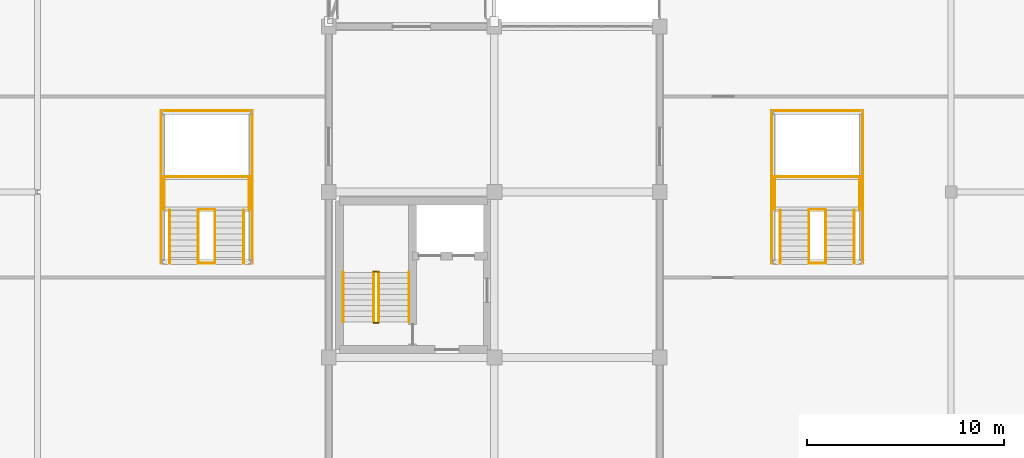
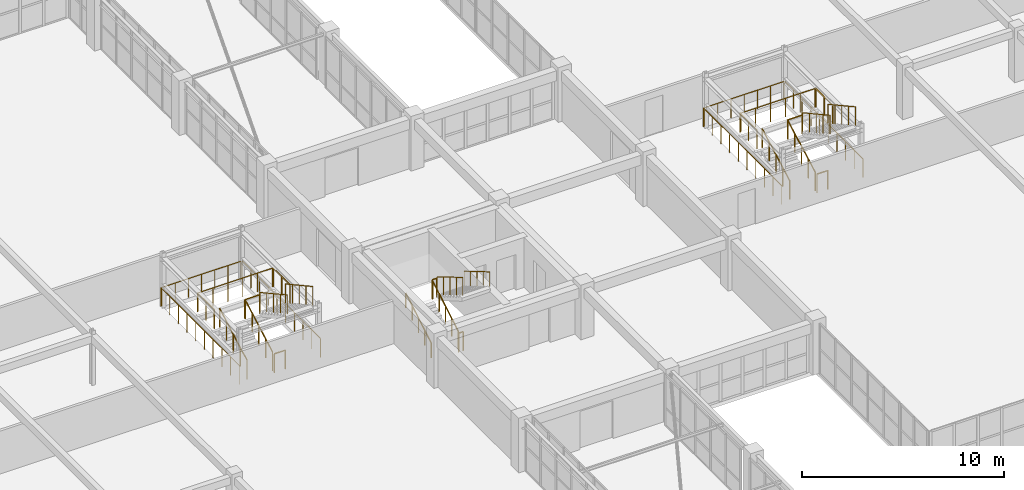
# One storey, part 194 of 200: 30 railings.
"""IFC4 building model written with IfcOpenShell, lengths in metres."""

from ifc_helpers import new_model, si_unit, direction, frame, origin, origin_2d, place, context, subcontext, project, spatial, circle, extrude, material, type_object, element, save


model = new_model("IFC4")

# Units and contexts
model_context = context("Model", 3, precision=1e-05, world=origin(), true_north=direction((0.0, 1.0)))
body_context = subcontext(model_context, "Body", "Model", "MODEL_VIEW")
ifc_project = project(units=[si_unit("LENGTHUNIT", "METRE"), si_unit("AREAUNIT", "SQUARE_METRE"), si_unit("VOLUMEUNIT", "CUBIC_METRE"), si_unit("PLANEANGLEUNIT", "RADIAN"), si_unit("MASSUNIT", "GRAM", prefix="KILO")], contexts=[model_context])

# Site, building, storey
site_placement = place(None, origin())
site = spatial("IfcSite", under=ifc_project, at=site_placement, CompositionType="ELEMENT")
building_placement = place(site_placement, origin())
building = spatial("IfcBuilding", under=site, at=building_placement, Name="Trelvath General Hospital", CompositionType="ELEMENT")
storey_placement = place(building_placement, frame((0.0, 0.0, 4.800048828125)))
storey = spatial("IfcBuildingStorey", under=building, at=storey_placement, Name="L01", CompositionType="ELEMENT", Elevation=4.800048828125)

# Railings
ifc_material_1 = material(Name="Architectural painted steel", Category="steel")
railing_type_1 = type_object("IfcRailingType", Name="Guardrail Terrace1150", PredefinedType="GUARDRAIL", material=ifc_material_1)
railing_1_placement = place(storey_placement, frame((77.8701171875, 52.159912109375, 0.0)))
element("IfcRailing", 1, at=railing_1_placement, inside=storey, type_object=railing_type_1, Name="Stair Well Edge Guard C6 L01 198", PredefinedType="GUARDRAIL", context=body_context, shape_type="SweptSolid", body=[
    extrude(circle(Radius=0.02392578125, at=origin_2d()), frame((0.0, 0.0, 1.1259765625), z_axis=(1.0, 0.0, 0.0), x_axis=(0.0, 1.0, 0.0)), (0.0, 0.0, 1.0), 0.259765625),
    extrude(circle(Radius=0.02099609375, at=origin_2d()), origin(), (0.0, 0.0, 1.0), 1.099853515625),
    extrude(circle(Radius=0.02099609375, at=origin_2d()), frame((0.259765625, 0.0, 0.0)), (0.0, 0.0, 1.0), 1.099853515625),
])
railing_2_placement = place(storey_placement, frame((78.1298828125, 54.719970703125, 1.81494140625)))
element("IfcRailing", 2, at=railing_2_placement, inside=storey, type_object=railing_type_1, Name="Stair Rail ST6 L01 F2 L 200", PredefinedType="GUARDRAIL", context=body_context, shape_type="SweptSolid", body=[
    extrude(circle(Radius=0.02392578125, at=origin_2d()), frame((0.0, 0.0, 1.076171875), z_axis=(0.0, -0.86152411907, 0.507716645641), x_axis=(1.0, 0.0, 0.0)), (0.0, 0.0, 1.0), 2.925048828125),
    extrude(circle(Radius=0.02099609375, at=origin_2d()), origin(), (0.0, 0.0, 1.0), 1.050048828125),
    extrude(circle(Radius=0.02099609375, at=origin_2d()), frame((0.0, -0.6298828125, 0.371337890625)), (0.0, 0.0, 1.0), 1.050048828125),
    extrude(circle(Radius=0.02099609375, at=origin_2d()), frame((0.0, -1.260009765625, 0.74267578125)), (0.0, 0.0, 1.0), 1.050048828125),
    extrude(circle(Radius=0.02099609375, at=origin_2d()), frame((0.0, -1.89013671875, 1.11376953125)), (0.0, 0.0, 1.0), 1.050048828125),
    extrude(circle(Radius=0.02099609375, at=origin_2d()), frame((0.0, -2.52001953125, 1.485107421875)), (0.0, 0.0, 1.0), 1.050048828125),
])
railing_3_placement = place(storey_placement, frame((77.8701171875, 52.199951171875, 0.1650390625)))
element("IfcRailing", 3, at=railing_3_placement, inside=storey, type_object=railing_type_1, Name="Stair Rail ST6 L01 F1 R 201", PredefinedType="GUARDRAIL", context=body_context, shape_type="SweptSolid", body=[
    extrude(circle(Radius=0.02392578125, at=origin_2d()), frame((0.0, 0.0, 1.076171875), z_axis=(0.0, 0.861560626758, 0.507654692109), x_axis=(-1.0, 0.0, 0.0)), (0.0, 0.0, 1.0), 2.925048828125),
    extrude(circle(Radius=0.02099609375, at=origin_2d()), origin(), (0.0, 0.0, 1.0), 1.050048828125),
    extrude(circle(Radius=0.02099609375, at=origin_2d()), frame((0.0, 0.6298828125, 0.37109375)), (0.0, 0.0, 1.0), 1.050048828125),
    extrude(circle(Radius=0.02099609375, at=origin_2d()), frame((0.0, 1.260009765625, 0.742431640625)), (0.0, 0.0, 1.0), 1.050048828125),
    extrude(circle(Radius=0.02099609375, at=origin_2d()), frame((0.0, 1.89013671875, 1.11376953125)), (0.0, 0.0, 1.0), 1.050048828125),
    extrude(circle(Radius=0.02099609375, at=origin_2d()), frame((0.0, 2.52001953125, 1.48486328125)), (0.0, 0.0, 1.0), 1.050048828125),
])
railing_4_placement = place(storey_placement, frame((77.8701171875, 54.760009765625, 1.64990234375)))
element("IfcRailing", 4, at=railing_4_placement, inside=storey, type_object=railing_type_1, Name="Half-Landing Well Guard ST6 L01 203", PredefinedType="GUARDRAIL", context=body_context, shape_type="SweptSolid", body=[
    extrude(circle(Radius=0.02392578125, at=origin_2d()), frame((0.0, 0.0, 1.1259765625), z_axis=(1.0, 0.0, 0.0), x_axis=(0.0, 1.0, 0.0)), (0.0, 0.0, 1.0), 0.259765625),
    extrude(circle(Radius=0.02099609375, at=origin_2d()), origin(), (0.0, 0.0, 1.0), 1.099853515625),
    extrude(circle(Radius=0.02099609375, at=origin_2d()), frame((0.259765625, 0.0, 0.0)), (0.0, 0.0, 1.0), 1.099853515625),
])
for number, where, name in (
    (5, (67.52001953125, 55.169921875, 0.1650390625), "Cube Stair Flight Guard ST9 L01 275"),
    (6, (68.97998046875, 55.169921875, 0.1650390625), "Cube Stair Flight Guard ST9 L01 276"),
):
    element("IfcRailing", number, at=place(storey_placement, frame(where)), inside=storey, type_object=railing_type_1, Name=name, PredefinedType="GUARDRAIL", context=body_context, shape_type="SweptSolid", body=[
        extrude(circle(Radius=0.02392578125, at=origin_2d()), frame((0.0, 0.0, 1.1259765625), z_axis=(0.0, 0.876249361297, 0.481857921827), x_axis=(-1.0, 0.0, 0.0)), (0.0, 0.0, 1.0), 3.08154296875),
        extrude(circle(Radius=0.02099609375, at=origin_2d()), origin(), (0.0, 0.0, 1.0), 1.099853515625),
        extrude(circle(Radius=0.02099609375, at=origin_2d()), frame((0.0, 0.675048828125, 0.37109375)), (0.0, 0.0, 1.0), 1.099853515625),
        extrude(circle(Radius=0.02099609375, at=origin_2d()), frame((0.0, 1.35009765625, 0.742431640625)), (0.0, 0.0, 1.0), 1.099853515625),
        extrude(circle(Radius=0.02099609375, at=origin_2d()), frame((0.0, 2.025146484375, 1.11376953125)), (0.0, 0.0, 1.0), 1.099853515625),
        extrude(circle(Radius=0.02099609375, at=origin_2d()), frame((0.0, 2.7001953125, 1.48486328125)), (0.0, 0.0, 1.0), 1.099853515625),
    ])
for number, where, name in (
    (7, (69.820068359375, 57.8701171875, 1.81494140625), "Cube Stair Flight Guard ST9 L01 277"),
    (8, (71.280029296875, 57.8701171875, 1.81494140625), "Cube Stair Flight Guard ST9 L01 278"),
):
    element("IfcRailing", number, at=place(storey_placement, frame(where)), inside=storey, type_object=railing_type_1, Name=name, PredefinedType="GUARDRAIL", context=body_context, shape_type="SweptSolid", body=[
        extrude(circle(Radius=0.02392578125, at=origin_2d()), frame((0.0, 0.0, 1.1259765625), z_axis=(0.0, -0.876215908677, 0.481918749772), x_axis=(1.0, 0.0, 0.0)), (0.0, 0.0, 1.0), 3.08154296875),
        extrude(circle(Radius=0.02099609375, at=origin_2d()), origin(), (0.0, 0.0, 1.0), 1.099853515625),
        extrude(circle(Radius=0.02099609375, at=origin_2d()), frame((0.0, -0.675048828125, 0.371337890625)), (0.0, 0.0, 1.0), 1.099853515625),
        extrude(circle(Radius=0.02099609375, at=origin_2d()), frame((0.0, -1.35009765625, 0.74267578125)), (0.0, 0.0, 1.0), 1.099853515625),
        extrude(circle(Radius=0.02099609375, at=origin_2d()), frame((0.0, -2.025146484375, 1.11376953125)), (0.0, 0.0, 1.0), 1.099853515625),
        extrude(circle(Radius=0.02099609375, at=origin_2d()), frame((0.0, -2.7001953125, 1.485107421875)), (0.0, 0.0, 1.0), 1.099853515625),
    ])
railing_5_placement = place(storey_placement, frame((67.239990234375, 57.909912109375, 1.64990234375)))
element("IfcRailing", 9, at=railing_5_placement, inside=storey, type_object=railing_type_1, Name="Cube Half-Landing Guard W ST9 L01 279", PredefinedType="GUARDRAIL", context=body_context, shape_type="SweptSolid", body=[
    extrude(circle(Radius=0.02392578125, at=origin_2d()), frame((0.0, 0.0, 1.1259765625), z_axis=(0.0, 1.0, 0.0), x_axis=(-1.0, 0.0, 0.0)), (0.0, 0.0, 1.0), 1.670166015625),
    extrude(circle(Radius=0.02099609375, at=origin_2d()), origin(), (0.0, 0.0, 1.0), 1.099853515625),
    extrude(circle(Radius=0.02099609375, at=origin_2d()), frame((0.0, 0.8349609375, 0.0)), (0.0, 0.0, 1.0), 1.099853515625),
    extrude(circle(Radius=0.02099609375, at=origin_2d()), frame((0.0, 1.670166015625, 0.0)), (0.0, 0.0, 1.0), 1.099853515625),
])
railing_6_placement = place(storey_placement, frame((67.280029296875, 59.580078125, 1.64990234375)))
element("IfcRailing", 10, at=railing_6_placement, inside=storey, type_object=railing_type_1, Name="Cube Half-Landing Guard N ST9 L01 280", PredefinedType="GUARDRAIL", context=body_context, shape_type="SweptSolid", body=[
    extrude(circle(Radius=0.02392578125, at=origin_2d()), frame((0.0, 0.0, 1.1259765625), z_axis=(1.0, 0.0, 0.0), x_axis=(0.0, 1.0, 0.0)), (0.0, 0.0, 1.0), 4.239990234375),
    extrude(circle(Radius=0.02099609375, at=origin_2d()), origin(), (0.0, 0.0, 1.0), 1.099853515625),
    extrude(circle(Radius=0.02099609375, at=origin_2d()), frame((0.847900390625, 0.0, 0.0)), (0.0, 0.0, 1.0), 1.099853515625),
    extrude(circle(Radius=0.02099609375, at=origin_2d()), frame((1.696044921875, 0.0, 0.0)), (0.0, 0.0, 1.0), 1.099853515625),
    extrude(circle(Radius=0.02099609375, at=origin_2d()), frame((2.5439453125, 0.0, 0.0)), (0.0, 0.0, 1.0), 1.099853515625),
    extrude(circle(Radius=0.02099609375, at=origin_2d()), frame((3.39208984375, 0.0, 0.0)), (0.0, 0.0, 1.0), 1.099853515625),
    extrude(circle(Radius=0.02099609375, at=origin_2d()), frame((4.239990234375, 0.0, 0.0)), (0.0, 0.0, 1.0), 1.099853515625),
])
railing_7_placement = place(storey_placement, frame((71.56005859375, 57.909912109375, 1.64990234375)))
element("IfcRailing", 11, at=railing_7_placement, inside=storey, type_object=railing_type_1, Name="Cube Half-Landing Guard E ST9 L01 281", PredefinedType="GUARDRAIL", context=body_context, shape_type="SweptSolid", body=[
    extrude(circle(Radius=0.02392578125, at=origin_2d()), frame((0.0, 0.0, 1.1259765625), z_axis=(0.0, 1.0, 0.0), x_axis=(-1.0, 0.0, 0.0)), (0.0, 0.0, 1.0), 1.670166015625),
    extrude(circle(Radius=0.02099609375, at=origin_2d()), origin(), (0.0, 0.0, 1.0), 1.099853515625),
    extrude(circle(Radius=0.02099609375, at=origin_2d()), frame((0.0, 0.8349609375, 0.0)), (0.0, 0.0, 1.0), 1.099853515625),
    extrude(circle(Radius=0.02099609375, at=origin_2d()), frame((0.0, 1.670166015625, 0.0)), (0.0, 0.0, 1.0), 1.099853515625),
])
railing_8_placement = place(storey_placement, frame((68.97998046875, 57.909912109375, 1.64990234375)))
element("IfcRailing", 12, at=railing_8_placement, inside=storey, type_object=railing_type_1, Name="Cube Half-Landing Slot Guard ST9 L01 282", PredefinedType="GUARDRAIL", context=body_context, shape_type="SweptSolid", body=[
    extrude(circle(Radius=0.02392578125, at=origin_2d()), frame((0.0, 0.0, 1.1259765625), z_axis=(1.0, 0.0, 0.0), x_axis=(0.0, 1.0, 0.0)), (0.0, 0.0, 1.0), 0.840087890625),
    extrude(circle(Radius=0.02099609375, at=origin_2d()), origin(), (0.0, 0.0, 1.0), 1.099853515625),
    extrude(circle(Radius=0.02099609375, at=origin_2d()), frame((0.840087890625, 0.0, 0.0)), (0.0, 0.0, 1.0), 1.099853515625),
])
for number, where, name in (
    (13, (98.52001953125, 55.169921875, 0.1650390625), "Cube Stair Flight Guard ST10 L01 283"),
    (14, (99.97998046875, 55.169921875, 0.1650390625), "Cube Stair Flight Guard ST10 L01 284"),
):
    element("IfcRailing", number, at=place(storey_placement, frame(where)), inside=storey, type_object=railing_type_1, Name=name, PredefinedType="GUARDRAIL", context=body_context, shape_type="SweptSolid", body=[
        extrude(circle(Radius=0.02392578125, at=origin_2d()), frame((0.0, 0.0, 1.1259765625), z_axis=(0.0, 0.876249361297, 0.481857921827), x_axis=(-1.0, 0.0, 0.0)), (0.0, 0.0, 1.0), 3.08154296875),
        extrude(circle(Radius=0.02099609375, at=origin_2d()), origin(), (0.0, 0.0, 1.0), 1.099853515625),
        extrude(circle(Radius=0.02099609375, at=origin_2d()), frame((0.0, 0.675048828125, 0.37109375)), (0.0, 0.0, 1.0), 1.099853515625),
        extrude(circle(Radius=0.02099609375, at=origin_2d()), frame((0.0, 1.35009765625, 0.742431640625)), (0.0, 0.0, 1.0), 1.099853515625),
        extrude(circle(Radius=0.02099609375, at=origin_2d()), frame((0.0, 2.025146484375, 1.11376953125)), (0.0, 0.0, 1.0), 1.099853515625),
        extrude(circle(Radius=0.02099609375, at=origin_2d()), frame((0.0, 2.7001953125, 1.48486328125)), (0.0, 0.0, 1.0), 1.099853515625),
    ])
for number, where, name in (
    (15, (100.820068359375, 57.8701171875, 1.81494140625), "Cube Stair Flight Guard ST10 L01 285"),
    (16, (102.280029296875, 57.8701171875, 1.81494140625), "Cube Stair Flight Guard ST10 L01 286"),
):
    element("IfcRailing", number, at=place(storey_placement, frame(where)), inside=storey, type_object=railing_type_1, Name=name, PredefinedType="GUARDRAIL", context=body_context, shape_type="SweptSolid", body=[
        extrude(circle(Radius=0.02392578125, at=origin_2d()), frame((0.0, 0.0, 1.1259765625), z_axis=(0.0, -0.876215908677, 0.481918749772), x_axis=(1.0, 0.0, 0.0)), (0.0, 0.0, 1.0), 3.08154296875),
        extrude(circle(Radius=0.02099609375, at=origin_2d()), origin(), (0.0, 0.0, 1.0), 1.099853515625),
        extrude(circle(Radius=0.02099609375, at=origin_2d()), frame((0.0, -0.675048828125, 0.371337890625)), (0.0, 0.0, 1.0), 1.099853515625),
        extrude(circle(Radius=0.02099609375, at=origin_2d()), frame((0.0, -1.35009765625, 0.74267578125)), (0.0, 0.0, 1.0), 1.099853515625),
        extrude(circle(Radius=0.02099609375, at=origin_2d()), frame((0.0, -2.025146484375, 1.11376953125)), (0.0, 0.0, 1.0), 1.099853515625),
        extrude(circle(Radius=0.02099609375, at=origin_2d()), frame((0.0, -2.7001953125, 1.485107421875)), (0.0, 0.0, 1.0), 1.099853515625),
    ])
railing_9_placement = place(storey_placement, frame((98.239990234375, 57.909912109375, 1.64990234375)))
element("IfcRailing", 17, at=railing_9_placement, inside=storey, type_object=railing_type_1, Name="Cube Half-Landing Guard W ST10 L01 287", PredefinedType="GUARDRAIL", context=body_context, shape_type="SweptSolid", body=[
    extrude(circle(Radius=0.02392578125, at=origin_2d()), frame((0.0, 0.0, 1.1259765625), z_axis=(0.0, 1.0, 0.0), x_axis=(-1.0, 0.0, 0.0)), (0.0, 0.0, 1.0), 1.670166015625),
    extrude(circle(Radius=0.02099609375, at=origin_2d()), origin(), (0.0, 0.0, 1.0), 1.099853515625),
    extrude(circle(Radius=0.02099609375, at=origin_2d()), frame((0.0, 0.8349609375, 0.0)), (0.0, 0.0, 1.0), 1.099853515625),
    extrude(circle(Radius=0.02099609375, at=origin_2d()), frame((0.0, 1.670166015625, 0.0)), (0.0, 0.0, 1.0), 1.099853515625),
])
railing_10_placement = place(storey_placement, frame((98.280029296875, 59.580078125, 1.64990234375)))
element("IfcRailing", 18, at=railing_10_placement, inside=storey, type_object=railing_type_1, Name="Cube Half-Landing Guard N ST10 L01 288", PredefinedType="GUARDRAIL", context=body_context, shape_type="SweptSolid", body=[
    extrude(circle(Radius=0.02392578125, at=origin_2d()), frame((0.0, 0.0, 1.1259765625), z_axis=(1.0, 0.0, 0.0), x_axis=(0.0, 1.0, 0.0)), (0.0, 0.0, 1.0), 4.239990234375),
    extrude(circle(Radius=0.02099609375, at=origin_2d()), origin(), (0.0, 0.0, 1.0), 1.099853515625),
    extrude(circle(Radius=0.02099609375, at=origin_2d()), frame((0.847900390625, 0.0, 0.0)), (0.0, 0.0, 1.0), 1.099853515625),
    extrude(circle(Radius=0.02099609375, at=origin_2d()), frame((1.696044921875, 0.0, 0.0)), (0.0, 0.0, 1.0), 1.099853515625),
    extrude(circle(Radius=0.02099609375, at=origin_2d()), frame((2.5439453125, 0.0, 0.0)), (0.0, 0.0, 1.0), 1.099853515625),
    extrude(circle(Radius=0.02099609375, at=origin_2d()), frame((3.39208984375, 0.0, 0.0)), (0.0, 0.0, 1.0), 1.099853515625),
    extrude(circle(Radius=0.02099609375, at=origin_2d()), frame((4.239990234375, 0.0, 0.0)), (0.0, 0.0, 1.0), 1.099853515625),
])
railing_11_placement = place(storey_placement, frame((102.56005859375, 57.909912109375, 1.64990234375)))
element("IfcRailing", 19, at=railing_11_placement, inside=storey, type_object=railing_type_1, Name="Cube Half-Landing Guard E ST10 L01 289", PredefinedType="GUARDRAIL", context=body_context, shape_type="SweptSolid", body=[
    extrude(circle(Radius=0.02392578125, at=origin_2d()), frame((0.0, 0.0, 1.1259765625), z_axis=(0.0, 1.0, 0.0), x_axis=(-1.0, 0.0, 0.0)), (0.0, 0.0, 1.0), 1.670166015625),
    extrude(circle(Radius=0.02099609375, at=origin_2d()), origin(), (0.0, 0.0, 1.0), 1.099853515625),
    extrude(circle(Radius=0.02099609375, at=origin_2d()), frame((0.0, 0.8349609375, 0.0)), (0.0, 0.0, 1.0), 1.099853515625),
    extrude(circle(Radius=0.02099609375, at=origin_2d()), frame((0.0, 1.670166015625, 0.0)), (0.0, 0.0, 1.0), 1.099853515625),
])
railing_12_placement = place(storey_placement, frame((99.97998046875, 57.909912109375, 1.64990234375)))
element("IfcRailing", 20, at=railing_12_placement, inside=storey, type_object=railing_type_1, Name="Cube Half-Landing Slot Guard ST10 L01 290", PredefinedType="GUARDRAIL", context=body_context, shape_type="SweptSolid", body=[
    extrude(circle(Radius=0.02392578125, at=origin_2d()), frame((0.0, 0.0, 1.1259765625), z_axis=(1.0, 0.0, 0.0), x_axis=(0.0, 1.0, 0.0)), (0.0, 0.0, 1.0), 0.840087890625),
    extrude(circle(Radius=0.02099609375, at=origin_2d()), origin(), (0.0, 0.0, 1.0), 1.099853515625),
    extrude(circle(Radius=0.02099609375, at=origin_2d()), frame((0.840087890625, 0.0, 0.0)), (0.0, 0.0, 1.0), 1.099853515625),
])
railing_13_placement = place(storey_placement, frame((67.080078125, 55.179931640625, 0.0)))
element("IfcRailing", 21, at=railing_13_placement, inside=storey, type_object=railing_type_1, Name="Atrium Guard W CUBE-W-T0 L01 355", PredefinedType="GUARDRAIL", context=body_context, shape_type="SweptSolid", body=[
    extrude(circle(Radius=0.02392578125, at=origin_2d()), frame((0.0, 0.0, 1.1259765625), z_axis=(0.0, 1.0, 0.0), x_axis=(-1.0, 0.0, 0.0)), (0.0, 0.0, 1.0), 7.739990234375),
    extrude(circle(Radius=0.02099609375, at=origin_2d()), origin(), (0.0, 0.0, 1.0), 1.099853515625),
    extrude(circle(Radius=0.02099609375, at=origin_2d()), frame((0.0, 0.860107421875, 0.0)), (0.0, 0.0, 1.0), 1.099853515625),
    extrude(circle(Radius=0.02099609375, at=origin_2d()), frame((0.0, 1.719970703125, 0.0)), (0.0, 0.0, 1.0), 1.099853515625),
    extrude(circle(Radius=0.02099609375, at=origin_2d()), frame((0.0, 2.580078125, 0.0)), (0.0, 0.0, 1.0), 1.099853515625),
    extrude(circle(Radius=0.02099609375, at=origin_2d()), frame((0.0, 3.43994140625, 0.0)), (0.0, 0.0, 1.0), 1.099853515625),
    extrude(circle(Radius=0.02099609375, at=origin_2d()), frame((0.0, 4.300048828125, 0.0)), (0.0, 0.0, 1.0), 1.099853515625),
    extrude(circle(Radius=0.02099609375, at=origin_2d()), frame((0.0, 5.159912109375, 0.0)), (0.0, 0.0, 1.0), 1.099853515625),
    extrude(circle(Radius=0.02099609375, at=origin_2d()), frame((0.0, 6.02001953125, 0.0)), (0.0, 0.0, 1.0), 1.099853515625),
    extrude(circle(Radius=0.02099609375, at=origin_2d()), frame((0.0, 6.8798828125, 0.0)), (0.0, 0.0, 1.0), 1.099853515625),
    extrude(circle(Radius=0.02099609375, at=origin_2d()), frame((0.0, 7.739990234375, 0.0)), (0.0, 0.0, 1.0), 1.099853515625),
])
railing_14_placement = place(storey_placement, frame((67.139892578125, 62.919921875, 0.0)))
element("IfcRailing", 22, at=railing_14_placement, inside=storey, type_object=railing_type_1, Name="Atrium Guard N CUBE-W-T0 L01 356", PredefinedType="GUARDRAIL", context=body_context, shape_type="SweptSolid", body=[
    extrude(circle(Radius=0.02392578125, at=origin_2d()), frame((0.0, 0.0, 1.1259765625), z_axis=(1.0, 0.0, 0.0), x_axis=(0.0, 1.0, 0.0)), (0.0, 0.0, 1.0), 4.52001953125),
    extrude(circle(Radius=0.02099609375, at=origin_2d()), origin(), (0.0, 0.0, 1.0), 1.099853515625),
    extrude(circle(Radius=0.02099609375, at=origin_2d()), frame((0.75341796875, 0.0, 0.0)), (0.0, 0.0, 1.0), 1.099853515625),
    extrude(circle(Radius=0.02099609375, at=origin_2d()), frame((1.506591796875, 0.0, 0.0)), (0.0, 0.0, 1.0), 1.099853515625),
    extrude(circle(Radius=0.02099609375, at=origin_2d()), frame((2.260009765625, 0.0, 0.0)), (0.0, 0.0, 1.0), 1.099853515625),
    extrude(circle(Radius=0.02099609375, at=origin_2d()), frame((3.013427734375, 0.0, 0.0)), (0.0, 0.0, 1.0), 1.099853515625),
    extrude(circle(Radius=0.02099609375, at=origin_2d()), frame((3.7666015625, 0.0, 0.0)), (0.0, 0.0, 1.0), 1.099853515625),
    extrude(circle(Radius=0.02099609375, at=origin_2d()), frame((4.52001953125, 0.0, 0.0)), (0.0, 0.0, 1.0), 1.099853515625),
])
railing_15_placement = place(storey_placement, frame((71.719970703125, 55.179931640625, 0.0)))
element("IfcRailing", 23, at=railing_15_placement, inside=storey, type_object=railing_type_1, Name="Atrium Guard E CUBE-W-T0 L01 357", PredefinedType="GUARDRAIL", context=body_context, shape_type="SweptSolid", body=[
    extrude(circle(Radius=0.02392578125, at=origin_2d()), frame((0.0, 0.0, 1.1259765625), z_axis=(0.0, 1.0, 0.0), x_axis=(-1.0, 0.0, 0.0)), (0.0, 0.0, 1.0), 7.739990234375),
    extrude(circle(Radius=0.02099609375, at=origin_2d()), origin(), (0.0, 0.0, 1.0), 1.099853515625),
    extrude(circle(Radius=0.02099609375, at=origin_2d()), frame((0.0, 0.860107421875, 0.0)), (0.0, 0.0, 1.0), 1.099853515625),
    extrude(circle(Radius=0.02099609375, at=origin_2d()), frame((0.0, 1.719970703125, 0.0)), (0.0, 0.0, 1.0), 1.099853515625),
    extrude(circle(Radius=0.02099609375, at=origin_2d()), frame((0.0, 2.580078125, 0.0)), (0.0, 0.0, 1.0), 1.099853515625),
    extrude(circle(Radius=0.02099609375, at=origin_2d()), frame((0.0, 3.43994140625, 0.0)), (0.0, 0.0, 1.0), 1.099853515625),
    extrude(circle(Radius=0.02099609375, at=origin_2d()), frame((0.0, 4.300048828125, 0.0)), (0.0, 0.0, 1.0), 1.099853515625),
    extrude(circle(Radius=0.02099609375, at=origin_2d()), frame((0.0, 5.159912109375, 0.0)), (0.0, 0.0, 1.0), 1.099853515625),
    extrude(circle(Radius=0.02099609375, at=origin_2d()), frame((0.0, 6.02001953125, 0.0)), (0.0, 0.0, 1.0), 1.099853515625),
    extrude(circle(Radius=0.02099609375, at=origin_2d()), frame((0.0, 6.8798828125, 0.0)), (0.0, 0.0, 1.0), 1.099853515625),
    extrude(circle(Radius=0.02099609375, at=origin_2d()), frame((0.0, 7.739990234375, 0.0)), (0.0, 0.0, 1.0), 1.099853515625),
])
railing_16_placement = place(storey_placement, frame((69.090087890625, 55.179931640625, 0.0)))
element("IfcRailing", 24, at=railing_16_placement, inside=storey, type_object=railing_type_1, Name="Atrium Mid-Slot Guard S CUBE-W-T0 L01 358", PredefinedType="GUARDRAIL", context=body_context, shape_type="SweptSolid", body=[
    extrude(circle(Radius=0.02392578125, at=origin_2d()), frame((0.0, 0.0, 1.1259765625), z_axis=(1.0, 0.0, 0.0), x_axis=(0.0, 1.0, 0.0)), (0.0, 0.0, 1.0), 0.619873046875),
    extrude(circle(Radius=0.02099609375, at=origin_2d()), origin(), (0.0, 0.0, 1.0), 1.099853515625),
    extrude(circle(Radius=0.02099609375, at=origin_2d()), frame((0.619873046875, 0.0, 0.0)), (0.0, 0.0, 1.0), 1.099853515625),
])
railing_17_placement = place(storey_placement, frame((98.080078125, 55.179931640625, 0.0)))
element("IfcRailing", 25, at=railing_17_placement, inside=storey, type_object=railing_type_1, Name="Atrium Guard W CUBE-E-T0 L01 359", PredefinedType="GUARDRAIL", context=body_context, shape_type="SweptSolid", body=[
    extrude(circle(Radius=0.02392578125, at=origin_2d()), frame((0.0, 0.0, 1.1259765625), z_axis=(0.0, 1.0, 0.0), x_axis=(-1.0, 0.0, 0.0)), (0.0, 0.0, 1.0), 7.739990234375),
    extrude(circle(Radius=0.02099609375, at=origin_2d()), origin(), (0.0, 0.0, 1.0), 1.099853515625),
    extrude(circle(Radius=0.02099609375, at=origin_2d()), frame((0.0, 0.860107421875, 0.0)), (0.0, 0.0, 1.0), 1.099853515625),
    extrude(circle(Radius=0.02099609375, at=origin_2d()), frame((0.0, 1.719970703125, 0.0)), (0.0, 0.0, 1.0), 1.099853515625),
    extrude(circle(Radius=0.02099609375, at=origin_2d()), frame((0.0, 2.580078125, 0.0)), (0.0, 0.0, 1.0), 1.099853515625),
    extrude(circle(Radius=0.02099609375, at=origin_2d()), frame((0.0, 3.43994140625, 0.0)), (0.0, 0.0, 1.0), 1.099853515625),
    extrude(circle(Radius=0.02099609375, at=origin_2d()), frame((0.0, 4.300048828125, 0.0)), (0.0, 0.0, 1.0), 1.099853515625),
    extrude(circle(Radius=0.02099609375, at=origin_2d()), frame((0.0, 5.159912109375, 0.0)), (0.0, 0.0, 1.0), 1.099853515625),
    extrude(circle(Radius=0.02099609375, at=origin_2d()), frame((0.0, 6.02001953125, 0.0)), (0.0, 0.0, 1.0), 1.099853515625),
    extrude(circle(Radius=0.02099609375, at=origin_2d()), frame((0.0, 6.8798828125, 0.0)), (0.0, 0.0, 1.0), 1.099853515625),
    extrude(circle(Radius=0.02099609375, at=origin_2d()), frame((0.0, 7.739990234375, 0.0)), (0.0, 0.0, 1.0), 1.099853515625),
])
railing_18_placement = place(storey_placement, frame((98.139892578125, 62.919921875, 0.0)))
element("IfcRailing", 26, at=railing_18_placement, inside=storey, type_object=railing_type_1, Name="Atrium Guard N CUBE-E-T0 L01 360", PredefinedType="GUARDRAIL", context=body_context, shape_type="SweptSolid", body=[
    extrude(circle(Radius=0.02392578125, at=origin_2d()), frame((0.0, 0.0, 1.1259765625), z_axis=(1.0, 0.0, 0.0), x_axis=(0.0, 1.0, 0.0)), (0.0, 0.0, 1.0), 4.52001953125),
    extrude(circle(Radius=0.02099609375, at=origin_2d()), origin(), (0.0, 0.0, 1.0), 1.099853515625),
    extrude(circle(Radius=0.02099609375, at=origin_2d()), frame((0.75341796875, 0.0, 0.0)), (0.0, 0.0, 1.0), 1.099853515625),
    extrude(circle(Radius=0.02099609375, at=origin_2d()), frame((1.506591796875, 0.0, 0.0)), (0.0, 0.0, 1.0), 1.099853515625),
    extrude(circle(Radius=0.02099609375, at=origin_2d()), frame((2.260009765625, 0.0, 0.0)), (0.0, 0.0, 1.0), 1.099853515625),
    extrude(circle(Radius=0.02099609375, at=origin_2d()), frame((3.013427734375, 0.0, 0.0)), (0.0, 0.0, 1.0), 1.099853515625),
    extrude(circle(Radius=0.02099609375, at=origin_2d()), frame((3.7666015625, 0.0, 0.0)), (0.0, 0.0, 1.0), 1.099853515625),
    extrude(circle(Radius=0.02099609375, at=origin_2d()), frame((4.52001953125, 0.0, 0.0)), (0.0, 0.0, 1.0), 1.099853515625),
])
railing_19_placement = place(storey_placement, frame((102.719970703125, 55.179931640625, 0.0)))
element("IfcRailing", 27, at=railing_19_placement, inside=storey, type_object=railing_type_1, Name="Atrium Guard E CUBE-E-T0 L01 361", PredefinedType="GUARDRAIL", context=body_context, shape_type="SweptSolid", body=[
    extrude(circle(Radius=0.02392578125, at=origin_2d()), frame((0.0, 0.0, 1.1259765625), z_axis=(0.0, 1.0, 0.0), x_axis=(-1.0, 0.0, 0.0)), (0.0, 0.0, 1.0), 7.739990234375),
    extrude(circle(Radius=0.02099609375, at=origin_2d()), origin(), (0.0, 0.0, 1.0), 1.099853515625),
    extrude(circle(Radius=0.02099609375, at=origin_2d()), frame((0.0, 0.860107421875, 0.0)), (0.0, 0.0, 1.0), 1.099853515625),
    extrude(circle(Radius=0.02099609375, at=origin_2d()), frame((0.0, 1.719970703125, 0.0)), (0.0, 0.0, 1.0), 1.099853515625),
    extrude(circle(Radius=0.02099609375, at=origin_2d()), frame((0.0, 2.580078125, 0.0)), (0.0, 0.0, 1.0), 1.099853515625),
    extrude(circle(Radius=0.02099609375, at=origin_2d()), frame((0.0, 3.43994140625, 0.0)), (0.0, 0.0, 1.0), 1.099853515625),
    extrude(circle(Radius=0.02099609375, at=origin_2d()), frame((0.0, 4.300048828125, 0.0)), (0.0, 0.0, 1.0), 1.099853515625),
    extrude(circle(Radius=0.02099609375, at=origin_2d()), frame((0.0, 5.159912109375, 0.0)), (0.0, 0.0, 1.0), 1.099853515625),
    extrude(circle(Radius=0.02099609375, at=origin_2d()), frame((0.0, 6.02001953125, 0.0)), (0.0, 0.0, 1.0), 1.099853515625),
    extrude(circle(Radius=0.02099609375, at=origin_2d()), frame((0.0, 6.8798828125, 0.0)), (0.0, 0.0, 1.0), 1.099853515625),
    extrude(circle(Radius=0.02099609375, at=origin_2d()), frame((0.0, 7.739990234375, 0.0)), (0.0, 0.0, 1.0), 1.099853515625),
])
railing_20_placement = place(storey_placement, frame((100.090087890625, 55.179931640625, 0.0)))
element("IfcRailing", 28, at=railing_20_placement, inside=storey, type_object=railing_type_1, Name="Atrium Mid-Slot Guard S CUBE-E-T0 L01 362", PredefinedType="GUARDRAIL", context=body_context, shape_type="SweptSolid", body=[
    extrude(circle(Radius=0.02392578125, at=origin_2d()), frame((0.0, 0.0, 1.1259765625), z_axis=(1.0, 0.0, 0.0), x_axis=(0.0, 1.0, 0.0)), (0.0, 0.0, 1.0), 0.619873046875),
    extrude(circle(Radius=0.02099609375, at=origin_2d()), origin(), (0.0, 0.0, 1.0), 1.099853515625),
    extrude(circle(Radius=0.02099609375, at=origin_2d()), frame((0.619873046875, 0.0, 0.0)), (0.0, 0.0, 1.0), 1.099853515625),
])
ifc_material_2 = material(Name="Brushed stainless steel", Category="steel")
railing_type_2 = type_object("IfcRailingType", Name="Handrail Stair900", PredefinedType="HANDRAIL", material=ifc_material_2)
railing_21_placement = place(storey_placement, frame((76.330078125, 52.199951171875, 0.1650390625)))
element("IfcRailing", 29, at=railing_21_placement, inside=storey, type_object=railing_type_2, Name="Stair Rail ST6 L01 F1 L 199", PredefinedType="HANDRAIL", context=body_context, shape_type="SweptSolid", body=[
    extrude(circle(Radius=0.02392578125, at=origin_2d()), frame((0.0, 0.0, 0.8759765625), z_axis=(0.0, 0.861560626758, 0.507654692109), x_axis=(-1.0, 0.0, 0.0)), (0.0, 0.0, 1.0), 2.925048828125),
    extrude(circle(Radius=0.02099609375, at=origin_2d()), origin(), (0.0, 0.0, 1.0), 0.849853515625),
    extrude(circle(Radius=0.02099609375, at=origin_2d()), frame((0.0, 0.6298828125, 0.37109375)), (0.0, 0.0, 1.0), 0.849853515625),
    extrude(circle(Radius=0.02099609375, at=origin_2d()), frame((0.0, 1.260009765625, 0.742431640625)), (0.0, 0.0, 1.0), 0.849853515625),
    extrude(circle(Radius=0.02099609375, at=origin_2d()), frame((0.0, 1.89013671875, 1.11376953125)), (0.0, 0.0, 1.0), 0.849853515625),
    extrude(circle(Radius=0.02099609375, at=origin_2d()), frame((0.0, 2.52001953125, 1.48486328125)), (0.0, 0.0, 1.0), 0.849853515625),
])
railing_22_placement = place(storey_placement, frame((79.669921875, 54.719970703125, 1.81494140625)))
element("IfcRailing", 30, at=railing_22_placement, inside=storey, type_object=railing_type_2, Name="Stair Rail ST6 L01 F2 R 202", PredefinedType="HANDRAIL", context=body_context, shape_type="SweptSolid", body=[
    extrude(circle(Radius=0.02392578125, at=origin_2d()), frame((0.0, 0.0, 0.8759765625), z_axis=(0.0, -0.86152411907, 0.507716645641), x_axis=(1.0, 0.0, 0.0)), (0.0, 0.0, 1.0), 2.925048828125),
    extrude(circle(Radius=0.02099609375, at=origin_2d()), origin(), (0.0, 0.0, 1.0), 0.849853515625),
    extrude(circle(Radius=0.02099609375, at=origin_2d()), frame((0.0, -0.6298828125, 0.371337890625)), (0.0, 0.0, 1.0), 0.849853515625),
    extrude(circle(Radius=0.02099609375, at=origin_2d()), frame((0.0, -1.260009765625, 0.74267578125)), (0.0, 0.0, 1.0), 0.849853515625),
    extrude(circle(Radius=0.02099609375, at=origin_2d()), frame((0.0, -1.89013671875, 1.11376953125)), (0.0, 0.0, 1.0), 0.849853515625),
    extrude(circle(Radius=0.02099609375, at=origin_2d()), frame((0.0, -2.52001953125, 1.485107421875)), (0.0, 0.0, 1.0), 0.849853515625),
])

save(model, "model.ifc")
